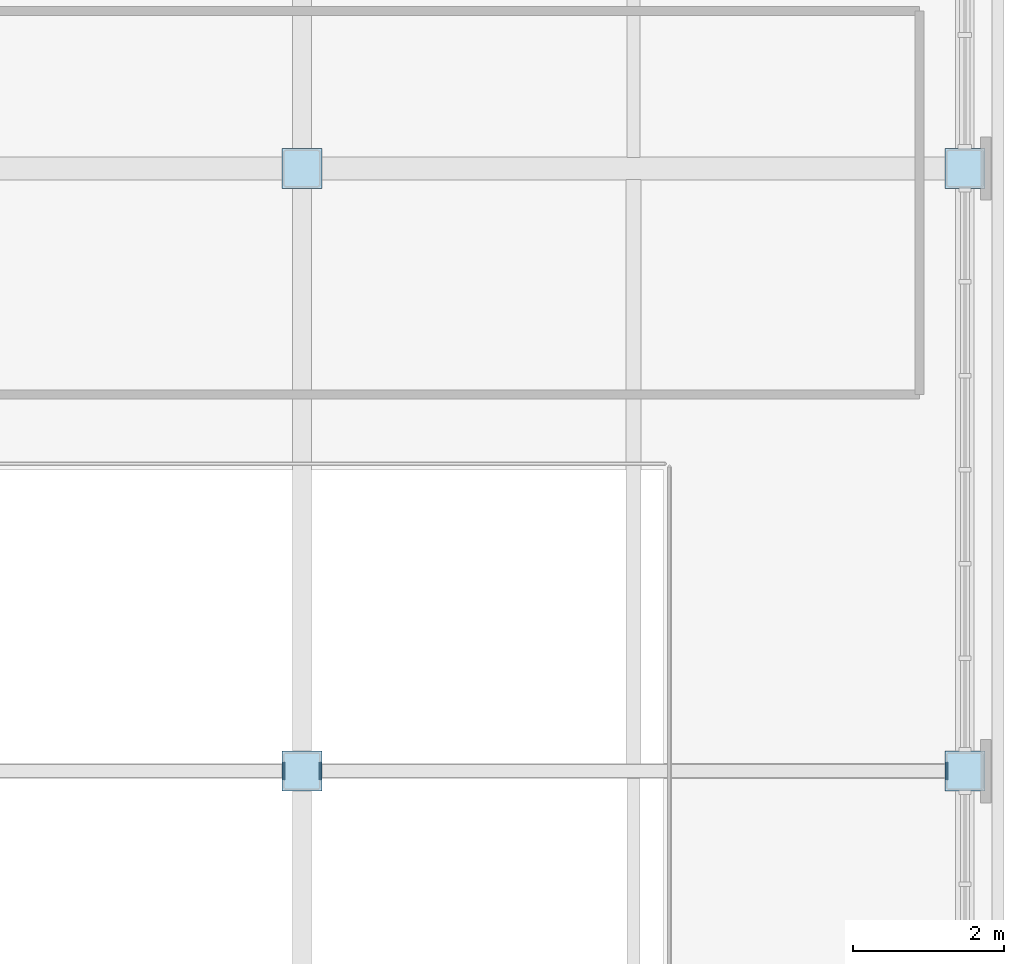
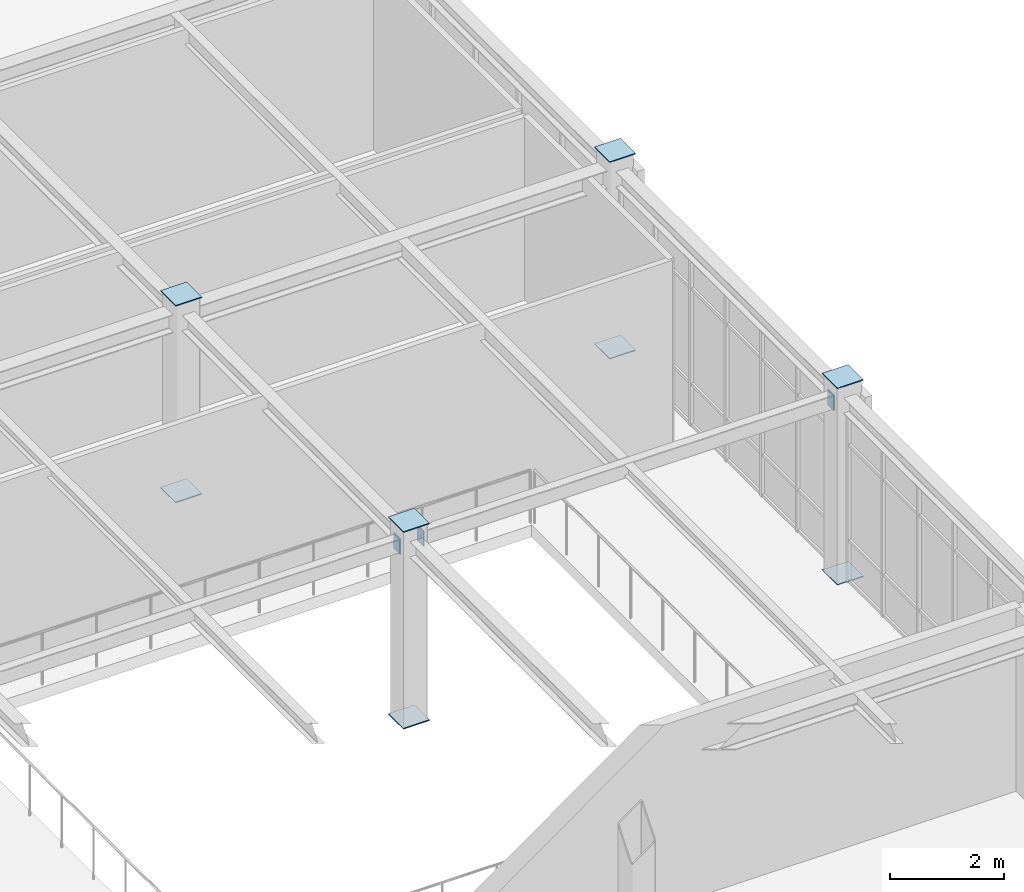
# One storey, part 36 of 45: 11 plates.
"""IFC4 building model written with IfcOpenShell, lengths in metres."""

from ifc_helpers import new_model, si_unit, direction, frame, origin, origin_2d, place, context, subcontext, project, spatial, rectangle, extrude, material, layer, layer_set, type_object, element, save


model = new_model("IFC4")

# Units and contexts
model_context = context("Model", 3, precision=1e-05, world=origin(), true_north=direction((0.0, 1.0)))
body_context = subcontext(model_context, "Body", "Model", "MODEL_VIEW")
ifc_project = project(units=[si_unit("LENGTHUNIT", "METRE"), si_unit("AREAUNIT", "SQUARE_METRE"), si_unit("VOLUMEUNIT", "CUBIC_METRE"), si_unit("PLANEANGLEUNIT", "RADIAN"), si_unit("MASSUNIT", "GRAM", prefix="KILO")], contexts=[model_context])

# Site, building, storey
site_placement = place(None, origin())
site = spatial("IfcSite", under=ifc_project, at=site_placement, CompositionType="ELEMENT")
building_placement = place(site_placement, origin())
building = spatial("IfcBuilding", under=site, at=building_placement, Name="Zhaolan Boulevard Law Courts", CompositionType="ELEMENT")
storey_placement = place(building_placement, frame((0.0, 0.0, 24.60009765625)))
storey = spatial("IfcBuildingStorey", under=building, at=storey_placement, Name="L05", CompositionType="ELEMENT", Elevation=24.60009765625)

# Plates
ifc_material = material(Name="Structural steel Q355B", Category="steel")
ifc_layer = layer(ifc_material, 0.02001953125)
ifc_layer_set = layer_set([ifc_layer])
plate_type = type_object("IfcPlateType", Name="END CAP PLATE 20", PredefinedType="SHEET", material=ifc_layer_set)
for number, where, z_axis, x_axis, name in (
    (1, (35.199951171875, 62.0, -0.01806640625), (0.0, 0.0, 1.0), (1.0, 0.0, 0.0), "Hollow Section End-Cap Plate ECP-0455"),
    (2, (35.199951171875, 62.0, 4.197998046875), (0.0, 0.0, 1.0), (1.0, 0.0, 0.0), "Hollow Section End-Cap Plate ECP-0456"),
    (3, (35.199951171875, 70.0, -0.01806640625), (0.0, 0.0, 1.0), (1.0, 0.0, 0.0), "Hollow Section End-Cap Plate ECP-0477"),
    (4, (35.199951171875, 70.0, 4.197998046875), (0.0, 0.0, 1.0), (1.0, 0.0, 0.0), "Hollow Section End-Cap Plate ECP-0478"),
    (5, (44.0, 62.0, -0.01806640625), (0.0, 0.0, 1.0), (1.0, 0.0, 0.0), "Hollow Section End-Cap Plate ECP-0571"),
    (6, (44.0, 62.0, 4.197998046875), (0.0, 0.0, 1.0), (1.0, 0.0, 0.0), "Hollow Section End-Cap Plate ECP-0572"),
    (7, (44.0, 70.0, -0.01806640625), (0.0, 0.0, 1.0), (1.0, 0.0, 0.0), "Hollow Section End-Cap Plate ECP-0589"),
    (8, (44.0, 70.0, 4.197998046875), (0.0, 0.0, 1.0), (1.0, 0.0, 0.0), "Hollow Section End-Cap Plate ECP-0590"),
):
    element("IfcPlate", number, at=place(storey_placement, frame(where, z_axis=z_axis, x_axis=x_axis)), inside=storey, type_object=plate_type, Name=name, PredefinedType="SHEET", context=body_context, shape_type="SweptSolid", body=[
        extrude(rectangle(XDim=0.530029296875, YDim=0.530029296875, at=origin_2d()), origin(), (0.0, 0.0, 1.0), 0.02001953125),
    ])
for number, where, z_axis, x_axis, name in (
    (9, (34.9619140625, 62.0, 3.6328125), (0.0, 0.0, 1.0), (1.0, 0.0, 0.0), "Hollow Section End-Cap Plate ECP-1006"),
    (10, (35.43798828125, 62.0, 3.6328125), (0.0, 0.0, 1.0), (1.0, 0.0, 0.0), "Hollow Section End-Cap Plate ECP-1007"),
    (11, (43.761962890625, 62.0, 3.6328125), (0.0, 0.0, 1.0), (1.0, 0.0, 0.0), "Hollow Section End-Cap Plate ECP-1008"),
):
    element("IfcPlate", number, at=place(storey_placement, frame(where, z_axis=z_axis, x_axis=x_axis)), inside=storey, type_object=plate_type, Name=name, PredefinedType="SHEET", context=body_context, shape_type="SweptSolid", body=[
        extrude(rectangle(XDim=0.02001953125, YDim=0.22998046875, at=origin_2d()), origin(), (0.0, 0.0, 1.0), 0.330078125),
    ])

save(model, "model.ifc")
